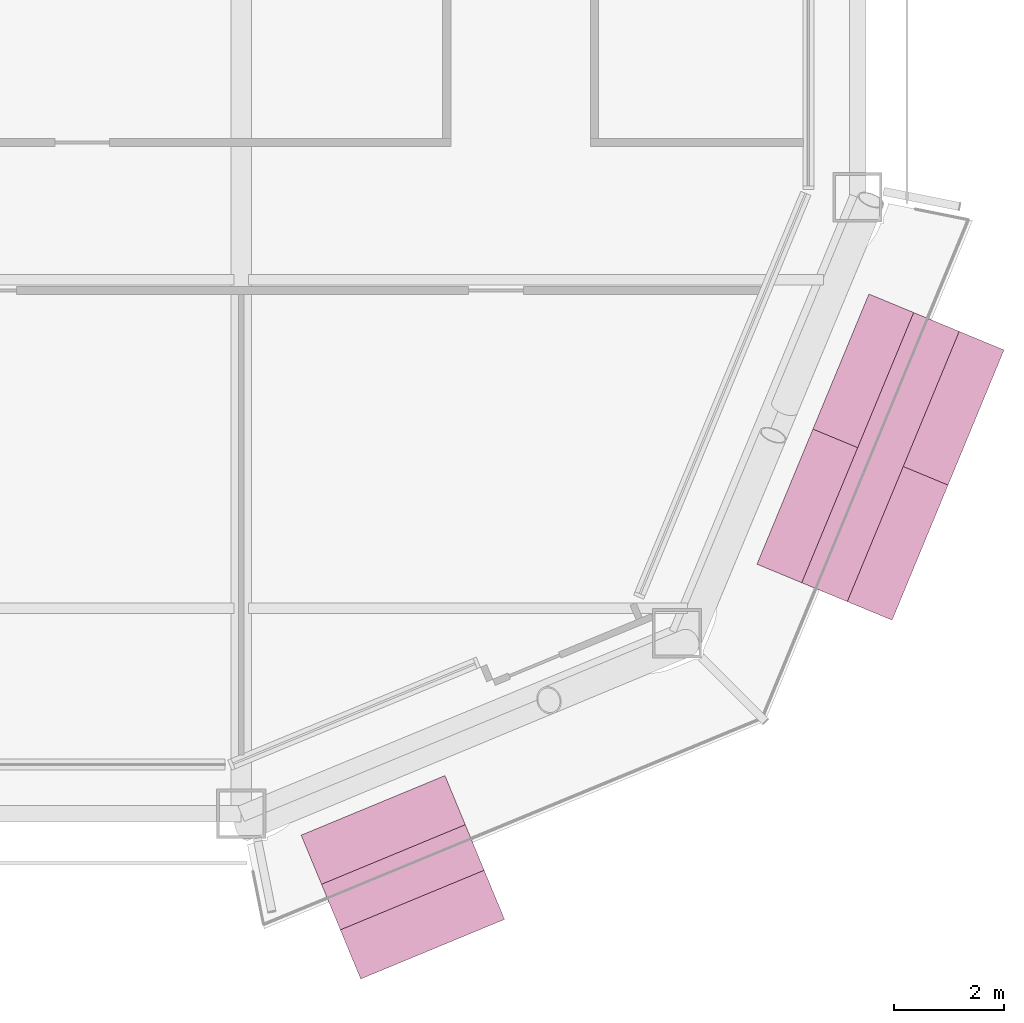
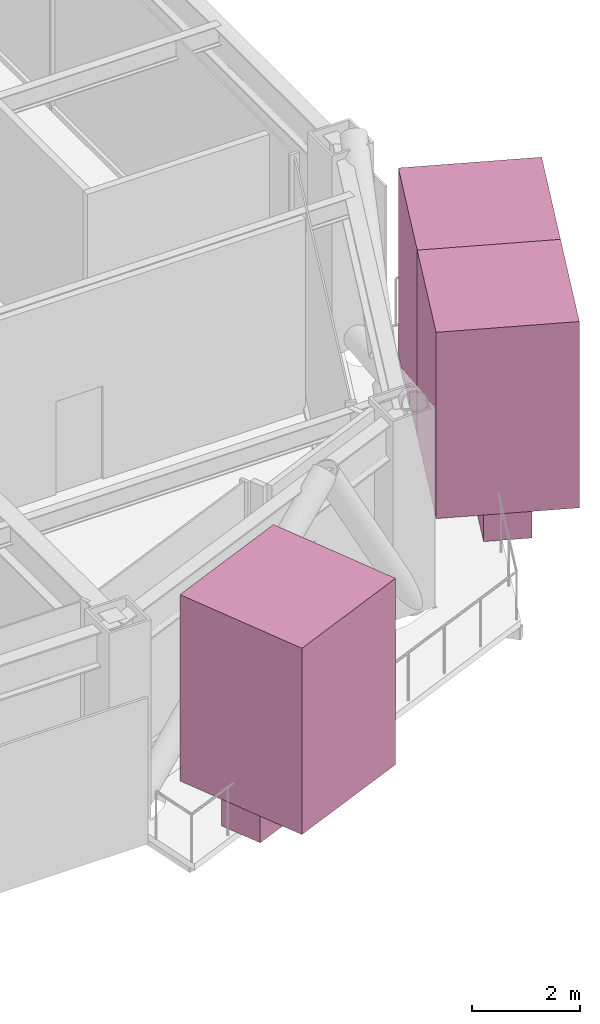
# One storey, part 23 of 23: 5 furnishings.
"""IFC4 building model written with IfcOpenShell, lengths in metres."""

from ifc_helpers import new_model, si_unit, direction, frame, origin, origin_2d, place, context, subcontext, project, spatial, rectangle, extrude, material, type_object, element, save


model = new_model("IFC4")

# Units and contexts
model_context = context("Model", 3, precision=1e-05, world=origin(), true_north=direction((0.0, 1.0)))
body_context = subcontext(model_context, "Body", "Model", "MODEL_VIEW")
ifc_project = project(units=[si_unit("LENGTHUNIT", "METRE"), si_unit("AREAUNIT", "SQUARE_METRE"), si_unit("VOLUMEUNIT", "CUBIC_METRE"), si_unit("PLANEANGLEUNIT", "RADIAN"), si_unit("MASSUNIT", "GRAM", prefix="KILO")], contexts=[model_context])

# Site, building, storey
site_placement = place(None, origin())
site = spatial("IfcSite", under=ifc_project, at=site_placement, CompositionType="ELEMENT")
building_placement = place(site_placement, origin())
building = spatial("IfcBuilding", under=site, at=building_placement, Name="Siwar Civic Tower", CompositionType="ELEMENT")
storey_placement = place(building_placement, frame((0.0, 0.0, 145.199951171875)))
storey = spatial("IfcBuildingStorey", under=building, at=storey_placement, Name="L31", CompositionType="ELEMENT", Elevation=145.199951171875)

# Furnishings
ifc_material_1 = material(Name="Planting soil and foliage")
furnishing_element_type_1 = type_object("IfcFurnishingElementType", Name="ENV-PLANTER", material=ifc_material_1)
furnishing_1_placement = place(storey_placement, frame((20.949951171875, -30.409423828125, 0.0), z_axis=(0.0, 0.0, 1.0), x_axis=(0.923879532511, 0.382683432365, 0.0)))
element("IfcFurnishingElement", 1, at=furnishing_1_placement, inside=storey, type_object=furnishing_element_type_1, Name="PLANTER SE 1", context=body_context, shape_type="SweptSolid", body=[
    extrude(rectangle(XDim=2.84130859375, YDim=0.89990234375, at=origin_2d()), origin(), (0.0, 0.0, 1.0), 0.60009765625),
])
furnishing_2_placement = place(storey_placement, frame((29.66796875, -22.73974609375, 0.0), z_axis=(0.0, 0.0, 1.0), x_axis=(0.382683432365, 0.923879532511, 0.0)))
element("IfcFurnishingElement", 2, at=furnishing_2_placement, inside=storey, type_object=furnishing_element_type_1, Name="PLANTER SE 2", context=body_context, shape_type="SweptSolid", body=[
    extrude(rectangle(XDim=5.33837890625, YDim=0.89990234375, at=origin_2d()), origin(), (0.0, 0.0, 1.0), 0.60009765625),
])
ifc_material_2 = material(Name="Planting soil and foliage")
furnishing_element_type_2 = type_object("IfcFurnishingElementType", Name="ENV-TREE", material=ifc_material_2)
furnishing_3_placement = place(storey_placement, frame((20.949951171875, -30.409423828125, 0.60009765625), z_axis=(0.0, 0.0, 1.0), x_axis=(0.923879532511, 0.382683432365, 0.0)))
element("IfcFurnishingElement", 3, at=furnishing_3_placement, inside=storey, type_object=furnishing_element_type_2, Name="PLANTER (TREE) SE 1.1", context=body_context, shape_type="SweptSolid", body=[
    extrude(rectangle(XDim=2.84130859375, YDim=2.84130859375, at=origin_2d()), origin(), (0.0, 0.0, 1.0), 4.199951171875),
])
for number, where, z_axis, x_axis, name in (
    (4, (29.1572265625, -23.972900390625, 0.60009765625), (0.0, 0.0, 1.0), (0.382683432365, 0.923879532511, 0.0), "PLANTER (TREE) SE 2.1"),
    (5, (30.1787109375, -21.5068359375, 0.60009765625), (0.0, 0.0, 1.0), (0.382683432365, 0.923879532511, 0.0), "PLANTER (TREE) SE 2.2"),
):
    element("IfcFurnishingElement", number, at=place(storey_placement, frame(where, z_axis=z_axis, x_axis=x_axis)), inside=storey, type_object=furnishing_element_type_2, Name=name, context=body_context, shape_type="SweptSolid", body=[
        extrude(rectangle(XDim=2.669189453125, YDim=2.669189453125, at=origin_2d()), origin(), (0.0, 0.0, 1.0), 4.199951171875),
    ])

save(model, "model.ifc")
